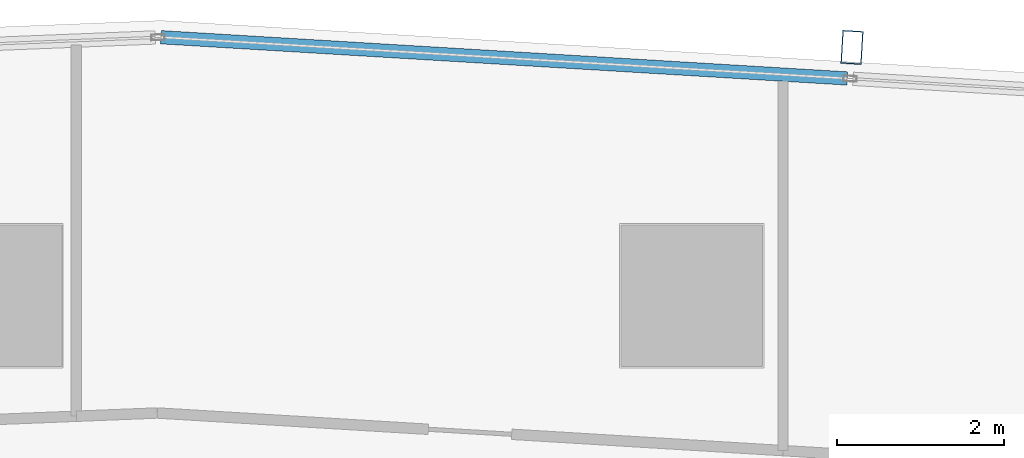
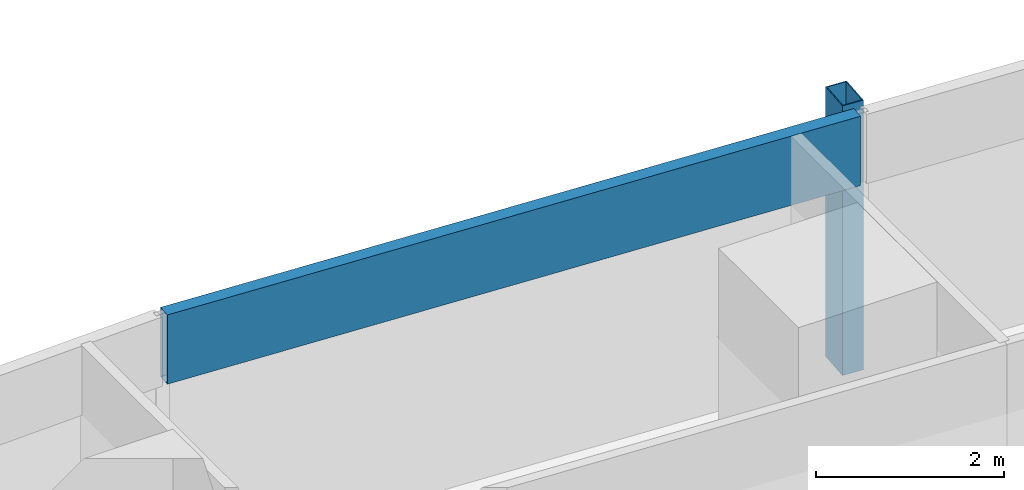
# One storey, part 22 of 40: 2 members, 1 element without a shape of its own.
"""IFC4 building model written with IfcOpenShell, lengths in metres."""

from ifc_helpers import new_model, si_unit, direction, frame, origin, origin_2d, place, context, subcontext, project, spatial, hollow_rectangle, extrude, material, material_profile, profile_set, type_object, element, aggregate, save


model = new_model("IFC4")

# Units and contexts
model_context = context("Model", 3, precision=1e-05, world=origin(), true_north=direction((0.0, 1.0)))
body_context = subcontext(model_context, "Body", "Model", "MODEL_VIEW")
ifc_project = project(units=[si_unit("LENGTHUNIT", "METRE"), si_unit("AREAUNIT", "SQUARE_METRE"), si_unit("VOLUMEUNIT", "CUBIC_METRE"), si_unit("PLANEANGLEUNIT", "RADIAN"), si_unit("MASSUNIT", "GRAM", prefix="KILO")], contexts=[model_context])

# Site, building, storey
site_placement = place(None, origin())
site = spatial("IfcSite", under=ifc_project, at=site_placement, CompositionType="ELEMENT")
building_placement = place(site_placement, origin())
building = spatial("IfcBuilding", under=site, at=building_placement, Name="Rekha Terrace Tower", CompositionType="ELEMENT")
storey_placement = place(building_placement, frame((0.0, 0.0, 110.300048828125)))
storey = spatial("IfcBuildingStorey", under=building, at=storey_placement, Name="L27", CompositionType="ELEMENT", Elevation=110.300048828125)

# Curtain wall, members
ifc_material_1 = material(Name="Aluminium framing", Category="aluminium")
curtain_wall_type = type_object("IfcCurtainWallType", Name="CW3 north unitised glazing", PredefinedType="USERDEFINED", material=ifc_material_1)
curtain_wall_placement = place(storey_placement, origin())
curtain_wall = element("IfcCurtainWall", 1, at=curtain_wall_placement, inside=storey, type_object=curtain_wall_type, Name="CW3 unitised curtain wall", ObjectType="UNITISED CURTAIN WALL", PredefinedType="USERDEFINED")
ifc_material_2 = material(Name="Steel S355 with fluorocarbon finish", Category="steel")
ifc_material_profile_1 = material_profile(ifc_material_2, hollow_rectangle(XDim=0.25, YDim=0.39990234375, WallThickness=0.012451171875, at=origin_2d()), Name="RHS400x250x12.5")
ifc_profile_set_1 = profile_set([ifc_material_profile_1], Name="Steel S355 with fluorocarbon finish")
member_type_1 = type_object("IfcMemberType", Name="BL1 facade blade RHS 400 x 250", PredefinedType="USERDEFINED", material=ifc_profile_set_1)
member_1_placement = place(storey_placement, frame((52.322265625, 61.777587890625, 0.0), z_axis=(0.0, 0.0, 1.0), x_axis=(-0.998199123409, 0.059987582268, 0.0)))
member_1 = element("IfcMember", 2, at=member_1_placement, type_object=member_type_1, Name="Facade blade", ObjectType="FACADE BLADE", PredefinedType="USERDEFINED", context=body_context, shape_type="SweptSolid", body=[
    extrude(hollow_rectangle(XDim=0.25, YDim=0.39990234375, WallThickness=0.012451171875, at=origin_2d()), origin(), (0.0, 0.0, 1.0), 3.5),
])
ifc_material_3 = material(Name="Insulated aluminium spandrel box", Category="aluminium")
ifc_material_profile_2 = material_profile(ifc_material_3, hollow_rectangle(XDim=0.159912109375, YDim=0.89990234375, WallThickness=0.0029296875, at=origin_2d()), Name="AL SPANDREL BOX 160x900")
ifc_profile_set_2 = profile_set([ifc_material_profile_2], Name="Insulated aluminium spandrel box")
member_type_2 = type_object("IfcMemberType", Name="CW3 spandrel transom 160 x 900", PredefinedType="USERDEFINED", material=ifc_profile_set_2)
member_2_placement = place(storey_placement, frame((52.2646484375, 61.4052734375, 3.050048828125), z_axis=(-0.998199102701, 0.059987926845, 0.0), x_axis=(-0.059987926845, -0.998199102701, 0.0)))
member_2 = element("IfcMember", 3, at=member_2_placement, type_object=member_type_2, Name="CW3 spandrel transom 3", ObjectType="TRANSOM", PredefinedType="USERDEFINED", context=body_context, shape_type="SweptSolid", body=[
    extrude(hollow_rectangle(XDim=0.159912109375, YDim=0.89990234375, WallThickness=0.0029296875, at=origin_2d()), origin(), (0.0, 0.0, 1.0), 8.241455078125),
])
aggregate(curtain_wall, [member_2, member_1])

save(model, "model.ifc")
